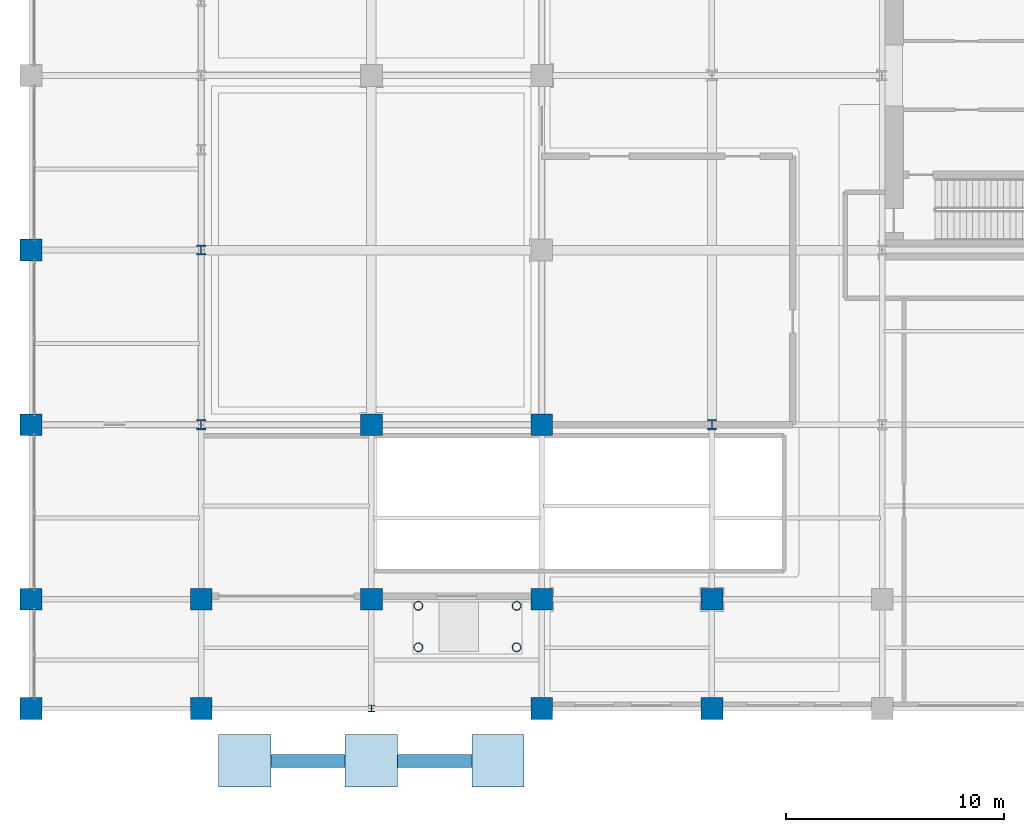
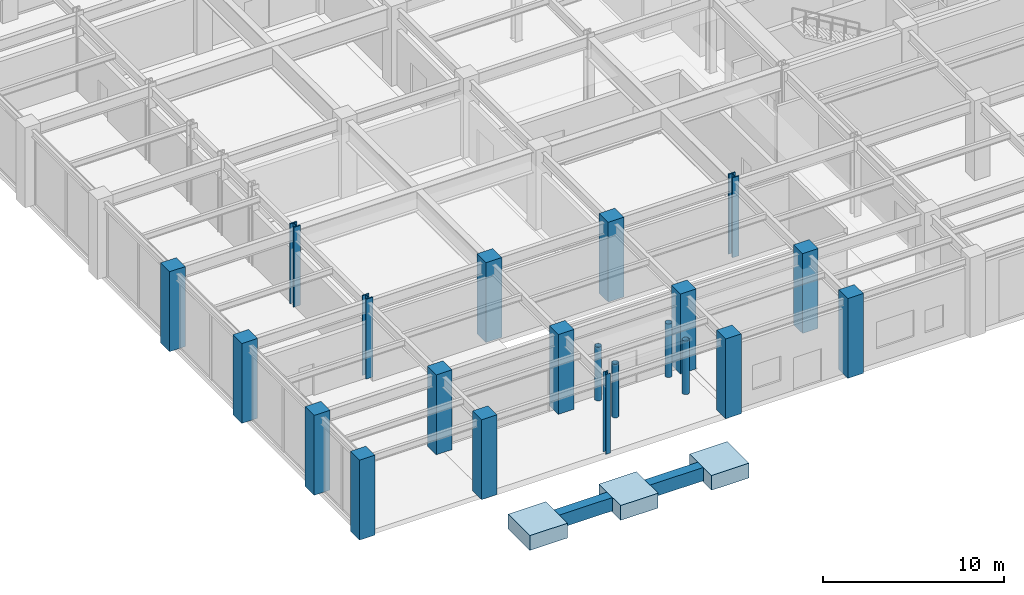
# One storey, part 1 of 27: 21 columns, 5 footings.
"""IFC4 building model written with IfcOpenShell, lengths in metres."""

from ifc_helpers import new_model, si_unit, direction, frame, origin, origin_2d, place, context, subcontext, project, spatial, rectangle, hollow_circle, i_section, extrude, material, layer, layer_set, material_profile, profile_set, type_object, element, save


model = new_model("IFC4")

# Units and contexts
model_context = context("Model", 3, precision=1e-05, world=origin(), true_north=direction((0.0, 1.0)))
body_context = subcontext(model_context, "Body", "Model", "MODEL_VIEW")
ifc_project = project(units=[si_unit("LENGTHUNIT", "METRE"), si_unit("AREAUNIT", "SQUARE_METRE"), si_unit("VOLUMEUNIT", "CUBIC_METRE"), si_unit("PLANEANGLEUNIT", "RADIAN"), si_unit("MASSUNIT", "GRAM", prefix="KILO")], contexts=[model_context])

# Site, building, storey
site_placement = place(None, origin())
site = spatial("IfcSite", under=ifc_project, at=site_placement, CompositionType="ELEMENT")
building_placement = place(site_placement, origin())
building = spatial("IfcBuilding", under=site, at=building_placement, Name="Veymaron Broadcast Tower", CompositionType="ELEMENT")
storey_placement = place(building_placement, origin())
storey = spatial("IfcBuildingStorey", under=building, at=storey_placement, Name="L00", CompositionType="ELEMENT", Elevation=0.0)

# Footings
ifc_material_1 = material(Name="Concrete C50/60", Category="concrete")
ifc_material_profile_1 = material_profile(ifc_material_1, rectangle(XDim=0.60009765625, YDim=0.89990234375, at=origin_2d()), Name="RC600X900")
ifc_profile_set_1 = profile_set([ifc_material_profile_1], Name="Concrete C50/60")
footing_type_1 = type_object("IfcFootingType", Name="FTG-BEAM-600X900", PredefinedType="FOOTING_BEAM", material=ifc_profile_set_1)
for number, where, z_axis, x_axis, name in (
    (1, (11.0, -7.39990234375, -1.449951171875), (1.0, 0.0, 0.0), (0.0, 1.0, 0.0), "Foundation tie beam FB-1"),
    (2, (16.800048828125, -7.39990234375, -1.449951171875), (1.0, 0.0, 0.0), (0.0, 1.0, 0.0), "Foundation tie beam FB-2"),
):
    element("IfcFooting", number, at=place(storey_placement, frame(where, z_axis=z_axis, x_axis=x_axis)), inside=storey, type_object=footing_type_1, Name=name, PredefinedType="FOOTING_BEAM", context=body_context, shape_type="SweptSolid", body=[
        extrude(rectangle(XDim=0.60009765625, YDim=0.89990234375, at=origin_2d()), origin(), (0.0, 0.0, 1.0), 3.39990234375),
    ])
ifc_layer = layer(ifc_material_1, 1.0)
ifc_layer_set = layer_set([ifc_layer], Name="Concrete C50/60")
footing_type_2 = type_object("IfcFootingType", Name="FTG-PAD-2400", PredefinedType="PAD_FOOTING", material=ifc_layer_set)
for number, where, z_axis, x_axis, name in (
    (3, (9.800048828125, -7.39990234375, -2.0), (0.0, 0.0, 1.0), (1.0, 0.0, 0.0), "Apron canopy pad footing PF-1"),
    (4, (15.60009765625, -7.39990234375, -2.0), (0.0, 0.0, 1.0), (1.0, 0.0, 0.0), "Apron canopy pad footing PF-2"),
    (5, (21.39990234375, -7.39990234375, -2.0), (0.0, 0.0, 1.0), (1.0, 0.0, 0.0), "Apron canopy pad footing PF-3"),
):
    element("IfcFooting", number, at=place(storey_placement, frame(where, z_axis=z_axis, x_axis=x_axis)), inside=storey, type_object=footing_type_2, Name=name, PredefinedType="PAD_FOOTING", context=body_context, shape_type="SweptSolid", body=[
        extrude(rectangle(XDim=2.39990234375, YDim=2.39990234375, at=origin_2d()), origin(), (0.0, 0.0, 1.0), 1.0),
    ])

# Columns
ifc_material_2 = material(Name="Structural steel ASTM A913 Gr 65", Category="steel")
ifc_material_profile_2 = material_profile(ifc_material_2, i_section(OverallWidth=0.424072265625, OverallDepth=0.47412109375, WebThickness=0.047607421875, FlangeThickness=0.076904296875, at=origin_2d()), Name="W360X634")
ifc_profile_set_2 = profile_set([ifc_material_profile_2], Name="Structural steel ASTM A913 Gr 65")
column_type_1 = type_object("IfcColumnType", Name="COL-MC1", PredefinedType="COLUMN", material=ifc_profile_set_2)
for number, where, z_axis, x_axis, name in (
    (6, (7.800048828125, 8.0, 0.0), (0.0, 0.0, 1.0), (1.0, 0.0, 0.0), "L00 column (7.8, 8.0)"),
    (7, (7.800048828125, 16.0, 0.0), (0.0, 0.0, 1.0), (1.0, 0.0, 0.0), "L00 column (7.8, 16.0)"),
    (8, (31.199951171875, 8.0, 0.0), (0.0, 0.0, 1.0), (1.0, 0.0, 0.0), "L00 column (31.2, 8.0)"),
):
    element("IfcColumn", number, at=place(storey_placement, frame(where, z_axis=z_axis, x_axis=x_axis)), inside=storey, type_object=column_type_1, Name=name, PredefinedType="COLUMN", context=body_context, shape_type="SweptSolid", body=[
        extrude(i_section(OverallWidth=0.424072265625, OverallDepth=0.47412109375, WebThickness=0.047607421875, FlangeThickness=0.076904296875, at=origin_2d()), origin(), (0.0, 0.0, 1.0), 5.39501953125),
    ])
ifc_material_3 = material(Name="Structural steel ASTM A992 Gr 50", Category="steel")
ifc_material_profile_3 = material_profile(ifc_material_3, hollow_circle(Radius=0.202880859375, WallThickness=0.01611328125, at=origin_2d()), Name="CHS406X16")
ifc_profile_set_3 = profile_set([ifc_material_profile_3], Name="Structural steel ASTM A992 Gr 50")
column_type_2 = type_object("IfcColumnType", Name="COL-PL3", PredefinedType="PILASTER", material=ifc_profile_set_3)
for number, where, z_axis, x_axis, name in (
    (9, (17.75, -2.199951171875, 0.0), (0.0, 0.0, 1.0), (1.0, 0.0, 0.0), "South arrival entry canopy D support post 1"),
    (10, (22.25, -2.199951171875, 0.0), (0.0, 0.0, 1.0), (1.0, 0.0, 0.0), "South arrival entry canopy D support post 2"),
    (11, (17.75, -0.300048828125, 0.0), (0.0, 0.0, 1.0), (1.0, 0.0, 0.0), "South arrival entry canopy D support post 3"),
    (12, (22.25, -0.300048828125, 0.0), (0.0, 0.0, 1.0), (1.0, 0.0, 0.0), "South arrival entry canopy D support post 4"),
):
    element("IfcColumn", number, at=place(storey_placement, frame(where, z_axis=z_axis, x_axis=x_axis)), inside=storey, type_object=column_type_2, Name=name, PredefinedType="PILASTER", context=body_context, shape_type="SweptSolid", body=[
        extrude(hollow_circle(Radius=0.202880859375, WallThickness=0.01611328125, at=origin_2d()), origin(), (0.0, 0.0, 1.0), 3.6201171875),
    ])
ifc_material_4 = material(Name="Concrete C60/75", Category="concrete")
ifc_material_profile_4 = material_profile(ifc_material_4, rectangle(XDim=1.0, YDim=1.0, at=origin_2d()), Name="RC1000X1000")
ifc_profile_set_4 = profile_set([ifc_material_profile_4], Name="Concrete C60/75")
column_type_3 = type_object("IfcColumnType", Name="COL-RC3", PredefinedType="COLUMN", material=ifc_profile_set_4)
for number, where, z_axis, x_axis, name in (
    (13, (0.0, -5.0, 0.0), (0.0, 0.0, 1.0), (1.0, 0.0, 0.0), "L00 column (0.0, -5.0)"),
    (14, (0.0, 0.0, 0.0), (0.0, 0.0, 1.0), (1.0, 0.0, 0.0), "L00 column (0.0, 0.0)"),
    (15, (0.0, 8.0, 0.0), (0.0, 0.0, 1.0), (1.0, 0.0, 0.0), "L00 column (0.0, 8.0)"),
    (16, (0.0, 16.0, 0.0), (0.0, 0.0, 1.0), (1.0, 0.0, 0.0), "L00 column (0.0, 16.0)"),
    (17, (7.800048828125, -5.0, 0.0), (0.0, 0.0, 1.0), (1.0, 0.0, 0.0), "L00 column (7.8, -5.0)"),
    (18, (7.800048828125, 0.0, 0.0), (0.0, 0.0, 1.0), (1.0, 0.0, 0.0), "L00 column (7.8, 0.0)"),
    (19, (15.60009765625, 0.0, 0.0), (0.0, 0.0, 1.0), (1.0, 0.0, 0.0), "L00 column (15.6, 0.0)"),
    (20, (15.60009765625, 8.0, 0.0), (0.0, 0.0, 1.0), (1.0, 0.0, 0.0), "L00 column (15.6, 8.0)"),
    (21, (23.39990234375, -5.0, 0.0), (0.0, 0.0, 1.0), (1.0, 0.0, 0.0), "L00 column (23.4, -5.0)"),
    (22, (23.39990234375, 0.0, 0.0), (0.0, 0.0, 1.0), (1.0, 0.0, 0.0), "L00 column (23.4, 0.0)"),
    (23, (23.39990234375, 8.0, 0.0), (0.0, 0.0, 1.0), (1.0, 0.0, 0.0), "L00 column (23.4, 8.0)"),
    (24, (31.199951171875, -5.0, 0.0), (0.0, 0.0, 1.0), (1.0, 0.0, 0.0), "L00 column (31.2, -5.0)"),
    (25, (31.199951171875, 0.0, 0.0), (0.0, 0.0, 1.0), (1.0, 0.0, 0.0), "L00 column (31.2, 0.0)"),
):
    element("IfcColumn", number, at=place(storey_placement, frame(where, z_axis=z_axis, x_axis=x_axis)), inside=storey, type_object=column_type_3, Name=name, PredefinedType="COLUMN", context=body_context, shape_type="SweptSolid", body=[
        extrude(rectangle(XDim=1.0, YDim=1.0, at=origin_2d()), origin(), (0.0, 0.0, 1.0), 5.39501953125),
    ])
ifc_material_profile_5 = material_profile(ifc_material_3, i_section(OverallWidth=0.306884765625, OverallDepth=0.31396484375, WebThickness=0.010986328125, FlangeThickness=0.018798828125, at=origin_2d()), Name="W310X117")
ifc_profile_set_5 = profile_set([ifc_material_profile_5], Name="Structural steel ASTM A992 Gr 50")
column_type_4 = type_object("IfcColumnType", Name="COL-SC3", PredefinedType="COLUMN", material=ifc_profile_set_5)
column_placement = place(storey_placement, frame((15.60009765625, -5.0, 0.0), z_axis=(0.0, 0.0, 1.0), x_axis=(1.0, 0.0, 0.0)))
element("IfcColumn", 26, at=column_placement, inside=storey, type_object=column_type_4, Name="L00 column (15.6, -5.0)", PredefinedType="COLUMN", context=body_context, shape_type="SweptSolid", body=[
    extrude(i_section(OverallWidth=0.306884765625, OverallDepth=0.31396484375, WebThickness=0.010986328125, FlangeThickness=0.018798828125, at=origin_2d()), origin(), (0.0, 0.0, 1.0), 5.39501953125),
])

save(model, "model.ifc")
